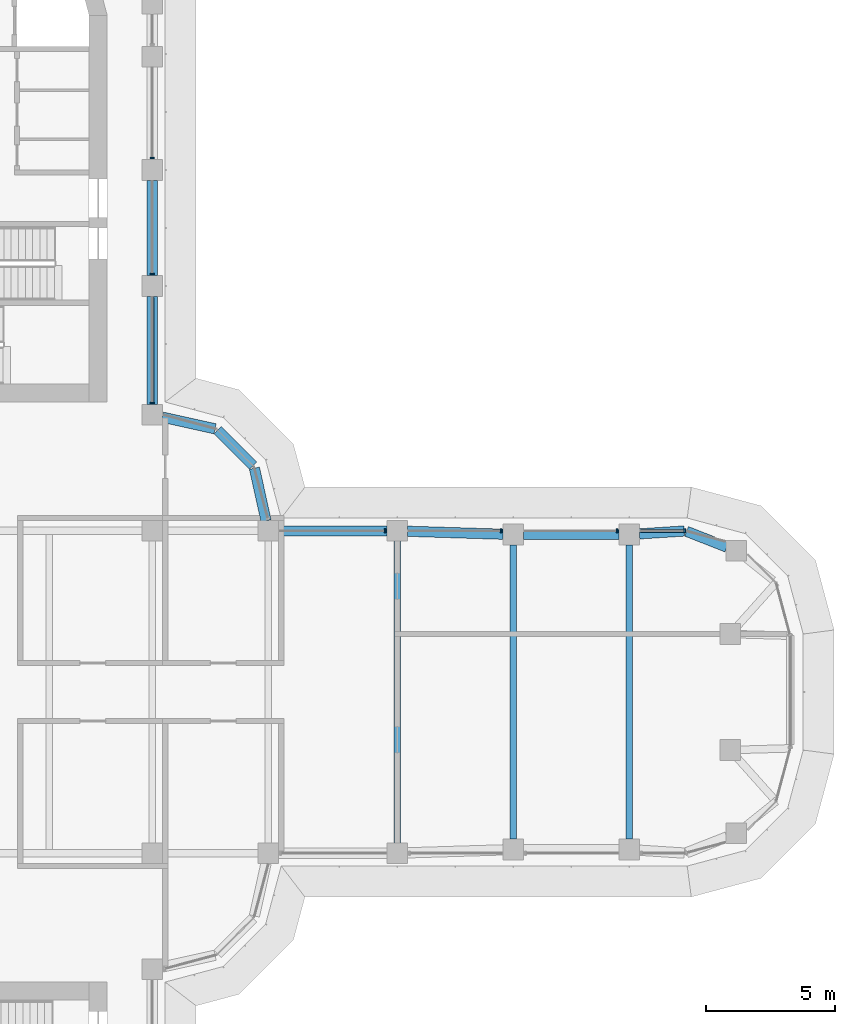
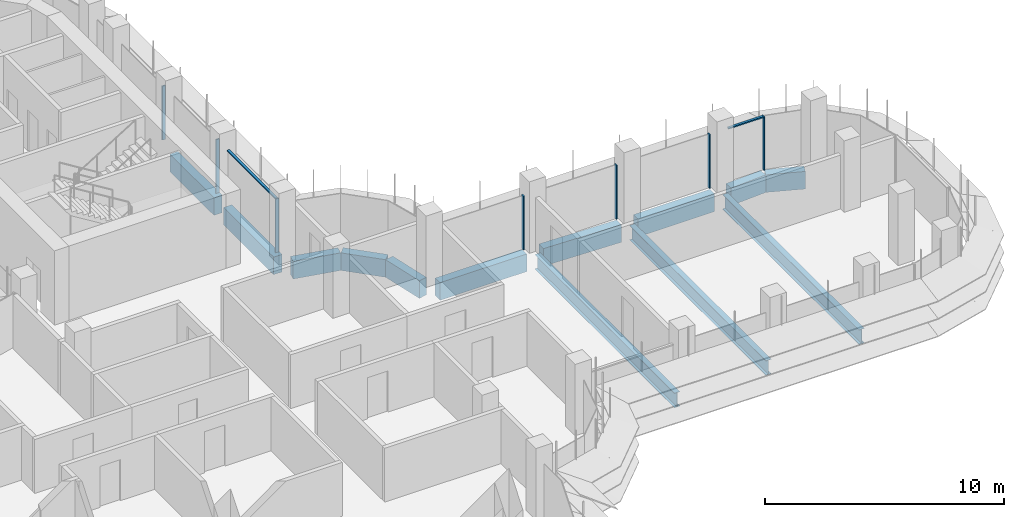
# One storey, part 8 of 20: 13 beams, 9 members, 2 elements without a shape of their own.
"""IFC4 building model written with IfcOpenShell, lengths in metres."""

from ifc_helpers import new_model, si_unit, direction, frame, origin, origin_2d, place, context, subcontext, project, spatial, polyline, rectangle, i_section, outline, extrude, source, transform, mapped, material, material_profile, profile_set, type_object, element, aggregate, save


model = new_model("IFC4")

# Units and contexts
model_context = context("Model", 3, precision=1e-05, world=origin(), true_north=direction((0.0, 1.0)))
body_context = subcontext(model_context, "Body", "Model", "MODEL_VIEW")
ifc_project = project(units=[si_unit("LENGTHUNIT", "METRE"), si_unit("AREAUNIT", "SQUARE_METRE"), si_unit("VOLUMEUNIT", "CUBIC_METRE"), si_unit("PLANEANGLEUNIT", "RADIAN"), si_unit("MASSUNIT", "GRAM", prefix="KILO")], contexts=[model_context])

# Site, building, storey
site_placement = place(None, origin())
site = spatial("IfcSite", under=ifc_project, at=site_placement, CompositionType="ELEMENT")
building_placement = place(site_placement, origin())
building = spatial("IfcBuilding", under=site, at=building_placement, Name="Zarbagh Exchange Tower", CompositionType="ELEMENT")
storey_placement = place(building_placement, frame((0.0, 0.0, 156.199951171875)))
storey = spatial("IfcBuildingStorey", under=building, at=storey_placement, Name="L37", CompositionType="ELEMENT", Elevation=156.199951171875)

# Beams
ifc_material_1 = material(Name="Steel ASTM A992 Gr 50", Category="steel")
ifc_material_profile_1 = material_profile(ifc_material_1, i_section(OverallWidth=0.26416015625, OverallDepth=0.749267578125, WebThickness=0.011962890625, FlangeThickness=0.015380859375, at=origin_2d()), Name="W30X90")
ifc_profile_set_1 = profile_set([ifc_material_profile_1], Name="Steel ASTM A992 Gr 50")
beam_type_1 = type_object("IfcBeamType", Name="Floor beam W30X90", PredefinedType="BEAM", material=ifc_profile_set_1)
beam_1_placement = place(storey_placement, frame((15.75, -5.85009765625, -0.524658203125), z_axis=(0.0, 1.0, 0.0), x_axis=(-1.0, 0.0, 0.0)))
element("IfcBeam", 1, at=beam_1_placement, inside=storey, type_object=beam_type_1, Name="Steel floor beam", PredefinedType="BEAM", context=body_context, shape_type="SweptSolid", body=[
    extrude(i_section(OverallWidth=0.26416015625, OverallDepth=0.749267578125, WebThickness=0.011962890625, FlangeThickness=0.015380859375, at=origin_2d()), origin(), (0.0, 0.0, 1.0), 11.7001953125),
])
for number, where, z_axis, x_axis, name in (
    (2, (20.25, -5.7099609375, -0.524658203125), (0.0, 1.0, 0.0), (-1.0, 0.0, 0.0), "Steel floor beam"),
    (3, (24.75, -5.7099609375, -0.524658203125), (0.0, 1.0, 0.0), (-1.0, 0.0, 0.0), "Steel floor beam"),
):
    element("IfcBeam", number, at=place(storey_placement, frame(where, z_axis=z_axis, x_axis=x_axis)), inside=storey, type_object=beam_type_1, Name=name, PredefinedType="BEAM", context=body_context, shape_type="SweptSolid", body=[
        extrude(i_section(OverallWidth=0.26416015625, OverallDepth=0.749267578125, WebThickness=0.011962890625, FlangeThickness=0.015380859375, at=origin_2d()), origin(), (0.0, 0.0, 1.0), 11.419921875),
    ])
ifc_material_2 = material(Name="Concrete C50/60", Category="concrete")
ifc_material_profile_2 = material_profile(ifc_material_2, rectangle(XDim=0.39990234375, YDim=0.89990234375, at=origin_2d()), Name="RC spandrel beam 400 x 900 C50/60")
ifc_profile_set_2 = profile_set([ifc_material_profile_2], Name="Concrete C50/60")
beam_type_2 = type_object("IfcBeamType", Name="RC spandrel beam 400 x 900 C50/60", PredefinedType="SPANDREL", material=ifc_profile_set_2)
beam_2_placement = place(storey_placement, frame((6.25, 19.85009765625, -0.599853515625), z_axis=(0.0, -1.0, 0.0), x_axis=(1.0, 0.0, 0.0)))
element("IfcBeam", 4, at=beam_2_placement, inside=storey, type_object=beam_type_2, Name="RC spandrel beam", PredefinedType="SPANDREL", context=body_context, shape_type="SweptSolid", body=[
    extrude(rectangle(XDim=0.39990234375, YDim=0.89990234375, at=origin_2d()), origin(), (0.0, 0.0, 1.0), 3.7001953125),
])
beam_3_placement = place(storey_placement, frame((6.25, 15.35009765625, -0.599853515625), z_axis=(0.0, -1.0, 0.0), x_axis=(1.0, 0.0, 0.0)))
element("IfcBeam", 5, at=beam_3_placement, inside=storey, type_object=beam_type_2, Name="RC spandrel beam", PredefinedType="SPANDREL", context=body_context, shape_type="SweptSolid", body=[
    extrude(rectangle(XDim=0.39990234375, YDim=0.89990234375, at=origin_2d()), origin(), (0.0, 0.0, 1.0), 4.2001953125),
])
beam_4_placement = place(storey_placement, frame((6.640625, 10.66357421875, -0.599853515625), z_axis=(0.976384278741, -0.216041061437, 0.0), x_axis=(0.216041061437, 0.976384278741, 0.0)))
element("IfcBeam", 6, at=beam_4_placement, inside=storey, type_object=beam_type_2, Name="RC spandrel beam", PredefinedType="SPANDREL", context=body_context, shape_type="SweptSolid", body=[
    extrude(rectangle(XDim=0.39990234375, YDim=0.89990234375, at=origin_2d()), origin(), (0.0, 0.0, 1.0), 2.0927734375),
])
beam_5_placement = place(storey_placement, frame((8.782470703125, 10.15771484375, -0.599853515625), z_axis=(0.707106781187, -0.707106781187, 0.0), x_axis=(0.707106781187, 0.707106781187, 0.0)))
element("IfcBeam", 7, at=beam_5_placement, inside=storey, type_object=beam_type_2, Name="RC spandrel beam", PredefinedType="SPANDREL", context=body_context, shape_type="SweptSolid", body=[
    extrude(rectangle(XDim=0.39990234375, YDim=0.89990234375, at=origin_2d()), origin(), (0.0, 0.0, 1.0), 1.94482421875),
])
beam_6_placement = place(storey_placement, frame((10.21142578125, 8.68408203125, -0.599853515625), z_axis=(0.216041061437, -0.976384278741, 0.0), x_axis=(0.976384278741, 0.216041061437, 0.0)))
element("IfcBeam", 8, at=beam_6_placement, inside=storey, type_object=beam_type_2, Name="RC spandrel beam", PredefinedType="SPANDREL", context=body_context, shape_type="SweptSolid", body=[
    extrude(rectangle(XDim=0.39990234375, YDim=0.89990234375, at=origin_2d()), origin(), (0.0, 0.0, 1.0), 2.0927734375),
])
beam_7_placement = place(storey_placement, frame((11.14990234375, 6.25, -0.599853515625), z_axis=(1.0, 0.0, 0.0), x_axis=(0.0, 1.0, 0.0)))
element("IfcBeam", 9, at=beam_7_placement, inside=storey, type_object=beam_type_2, Name="RC spandrel beam", PredefinedType="SPANDREL", context=body_context, shape_type="SweptSolid", body=[
    extrude(rectangle(XDim=0.39990234375, YDim=0.89990234375, at=origin_2d()), origin(), (0.0, 0.0, 1.0), 4.2001953125),
])
beam_8_placement = place(storey_placement, frame((16.14990234375, 6.237548828125, -0.599853515625), z_axis=(0.999515416033, -0.031127690444, 0.0), x_axis=(0.031127690444, 0.999515416033, 0.0)))
element("IfcBeam", 10, at=beam_8_placement, inside=storey, type_object=beam_type_2, Name="RC spandrel beam", PredefinedType="SPANDREL", context=body_context, shape_type="SweptSolid", body=[
    extrude(rectangle(XDim=0.39990234375, YDim=0.89990234375, at=origin_2d()), origin(), (0.0, 0.0, 1.0), 3.701904296875),
])
beam_9_placement = place(storey_placement, frame((20.64990234375, 6.110107421875, -0.599853515625), z_axis=(1.0, 0.0, 0.0), x_axis=(0.0, 1.0, 0.0)))
element("IfcBeam", 11, at=beam_9_placement, inside=storey, type_object=beam_type_2, Name="RC spandrel beam", PredefinedType="SPANDREL", context=body_context, shape_type="SweptSolid", body=[
    extrude(rectangle(XDim=0.39990234375, YDim=0.89990234375, at=origin_2d()), origin(), (0.0, 0.0, 1.0), 3.7001953125),
])
beam_10_placement = place(storey_placement, frame((25.149169921875, 6.135498046875, -0.599853515625), z_axis=(0.997942679773, 0.064112462805, 0.0), x_axis=(-0.064112462805, 0.997942679773, 0.0)))
element("IfcBeam", 12, at=beam_10_placement, inside=storey, type_object=beam_type_2, Name="RC spandrel beam", PredefinedType="SPANDREL", context=body_context, shape_type="SweptSolid", body=[
    extrude(rectangle(XDim=0.39990234375, YDim=0.89990234375, at=origin_2d()), origin(), (0.0, 0.0, 1.0), 1.744140625),
])
beam_11_placement = place(storey_placement, frame((26.9755859375, 6.233642578125, -0.599853515625), z_axis=(0.930818758612, -0.36548110569, 0.0), x_axis=(0.36548110569, 0.930818758612, 0.0)))
element("IfcBeam", 13, at=beam_11_placement, inside=storey, type_object=beam_type_2, Name="RC spandrel beam", PredefinedType="SPANDREL", context=body_context, shape_type="SweptSolid", body=[
    extrude(rectangle(XDim=0.39990234375, YDim=0.89990234375, at=origin_2d()), origin(), (0.0, 0.0, 1.0), 1.676025390625),
])

# Curtain wall, members
ifc_material_3 = material(Name="Anodised aluminium frame and glazing", Category="aluminium")
curtain_wall_type = type_object("IfcCurtainWallType", Name="CWB Ribbon glazing, upper zones", PredefinedType="NOTDEFINED", material=ifc_material_3)
curtain_wall_1_placement = place(storey_placement, origin())
curtain_wall_1 = element("IfcCurtainWall", 14, at=curtain_wall_1_placement, inside=storey, type_object=curtain_wall_type, Name="CWB16 curtain wall", PredefinedType="NOTDEFINED")
ifc_material_4 = material(Name="Anodised aluminium frame", Category="aluminium")
member_type_1 = type_object("IfcMemberType", Name="TRB Transom, anodised aluminium frame", PredefinedType="USERDEFINED", material=ifc_material_4)
shared_shape_1 = source(origin(), body_context, "Body", "SweptSolid", [
    extrude(outline(polyline([(-0.06005859375, -0.06005859375), (0.0, -0.06005859375), (0.0, 0.06005859375), (-0.06005859375, 0.06005859375), (-0.06005859375, -0.06005859375)])), origin(), (0.0, 0.0, 1.0), 1.68408203125),
])
placement = place(storey_placement, origin())
member_1 = element("IfcMember", 15, at=placement, type_object=member_type_1, Name="CWB16 transom 1.1", ObjectType="TRANSOM", PredefinedType="USERDEFINED", context=body_context, shape_type="MappedRepresentation", body=[
    mapped(shared_shape_1, transform((26.874267578125, 6.25, 2.75), x_axis=(0.0, 0.0, 1.0), y_axis=(0.0, 1.0, 0.0), z_axis=(-1.0, 0.0, 0.0))),
])
member_type_2 = type_object("IfcMemberType", Name="MUB Mullion, anodised aluminium frame", PredefinedType="MULLION", material=ifc_material_4)
shared_shape_2 = source(origin(), body_context, "Body", "SweptSolid", [
    extrude(outline(polyline([(0.0, -0.080078125), (0.06005859375, -0.080078125), (0.06005859375, 0.080078125), (0.0, 0.080078125), (0.0, -0.080078125)])), origin(), (0.0, 0.0, 1.0), 2.75),
])
member_2 = element("IfcMember", 16, at=placement, type_object=member_type_2, Name="CWB16 mullion 1.1", PredefinedType="MULLION", context=body_context, shape_type="MappedRepresentation", body=[
    mapped(shared_shape_2, transform((26.93408203125, 6.25, 0.0), x_axis=(-1.0, 0.0, 0.0), y_axis=(0.0, -1.0, 0.0), z_axis=(0.0, 0.0, 1.0))),
])
member_3 = element("IfcMember", 17, at=placement, type_object=member_type_2, Name="CWB16 mullion 2.1", PredefinedType="MULLION", context=body_context, shape_type="MappedRepresentation", body=[
    mapped(shared_shape_2, transform((24.31005859375, 6.25, 0.0), x_axis=(-1.0, 0.0, 0.0), y_axis=(0.0, -1.0, 0.0), z_axis=(0.0, 0.0, 1.0))),
])
member_4 = element("IfcMember", 18, at=placement, type_object=member_type_2, Name="CWB16 mullion 3.1", PredefinedType="MULLION", context=body_context, shape_type="MappedRepresentation", body=[
    mapped(shared_shape_2, transform((19.81005859375, 6.25, 0.0), x_axis=(-1.0, 0.0, 0.0), y_axis=(0.0, -1.0, 0.0), z_axis=(0.0, 0.0, 1.0))),
])
member_5 = element("IfcMember", 19, at=placement, type_object=member_type_2, Name="CWB16 mullion 4.1", PredefinedType="MULLION", context=body_context, shape_type="MappedRepresentation", body=[
    mapped(shared_shape_2, transform((15.31005859375, 6.25, 0.0), x_axis=(-1.0, 0.0, 0.0), y_axis=(0.0, -1.0, 0.0), z_axis=(0.0, 0.0, 1.0))),
])
aggregate(curtain_wall_1, [member_2, member_1, member_3, member_4, member_5])

curtain_wall_2_placement = place(storey_placement, origin())
curtain_wall_2 = element("IfcCurtainWall", 20, at=curtain_wall_2_placement, inside=storey, type_object=curtain_wall_type, Name="CWB20 curtain wall", PredefinedType="NOTDEFINED")
member_6 = element("IfcMember", 21, at=placement, type_object=member_type_2, Name="CWB20 mullion 1.1", PredefinedType="MULLION", context=body_context, shape_type="MappedRepresentation", body=[
    mapped(shared_shape_2, transform((6.25, 11.18994140625, 0.0), x_axis=(0.0, 1.0, 0.0), y_axis=(-1.0, 0.0, 0.0), z_axis=(0.0, 0.0, 1.0))),
])
member_7 = element("IfcMember", 22, at=placement, type_object=member_type_2, Name="CWB20 mullion 2.1", PredefinedType="MULLION", context=body_context, shape_type="MappedRepresentation", body=[
    mapped(shared_shape_2, transform((6.25, 16.18994140625, 0.0), x_axis=(0.0, 1.0, 0.0), y_axis=(-1.0, 0.0, 0.0), z_axis=(0.0, 0.0, 1.0))),
])
member_8 = element("IfcMember", 23, at=placement, type_object=member_type_2, Name="CWB20 mullion 3.1", PredefinedType="MULLION", context=body_context, shape_type="MappedRepresentation", body=[
    mapped(shared_shape_2, transform((6.25, 20.68994140625, 0.0), x_axis=(0.0, 1.0, 0.0), y_axis=(-1.0, 0.0, 0.0), z_axis=(0.0, 0.0, 1.0))),
])
shared_shape_3 = source(origin(), body_context, "Body", "SweptSolid", [
    extrude(outline(polyline([(-0.06005859375, -0.06005859375), (0.0, -0.06005859375), (0.0, 0.06005859375), (-0.06005859375, 0.06005859375), (-0.06005859375, -0.06005859375)])), origin(), (0.0, 0.0, 1.0), 4.06005859375),
])
member_9 = element("IfcMember", 24, at=placement, type_object=member_type_1, Name="CWB20 transom 1.1", ObjectType="TRANSOM", PredefinedType="USERDEFINED", context=body_context, shape_type="MappedRepresentation", body=[
    mapped(shared_shape_3, transform((6.25, 11.25, 2.75), x_axis=(0.0, 0.0, 1.0), y_axis=(1.0, 0.0, 0.0), z_axis=(0.0, 1.0, 0.0))),
])
aggregate(curtain_wall_2, [member_6, member_9, member_7, member_8])

save(model, "model.ifc")
